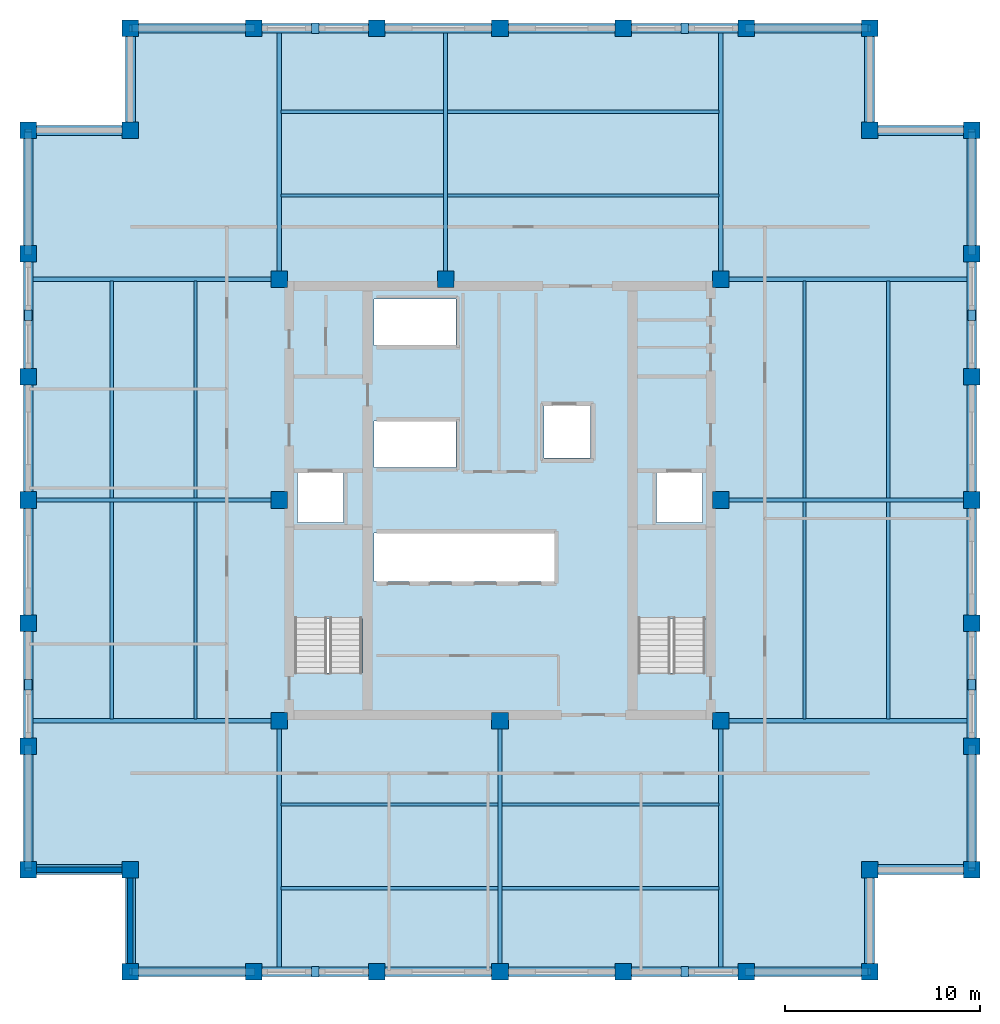
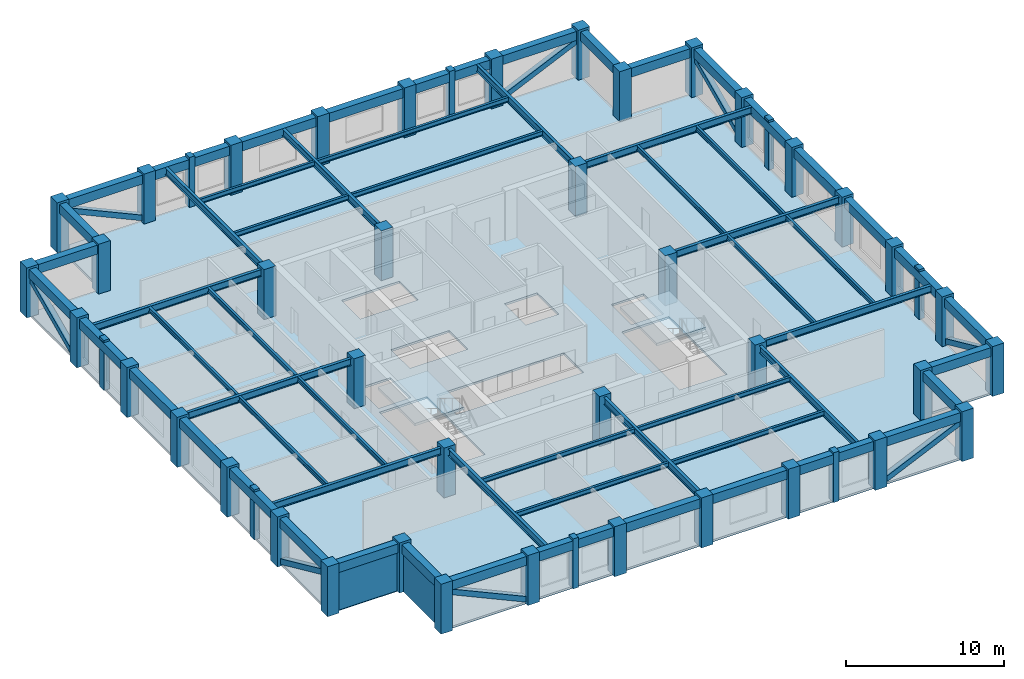
# One storey, part 1 of 6: 60 beams, 40 columns, 16 members, 3 slabs, 2 walls, 2 elements without a shape of their own.
"""IFC4 building model written with IfcOpenShell, lengths in metres."""

from ifc_helpers import new_model, si_unit, direction, frame, frame_2d, origin, origin_2d, place, context, subcontext, project, spatial, polyline, rectangle, hollow_rectangle, i_section, outline, extrude, material, layer, layer_set, material_profile, profile_set, type_object, element, aggregate, save


model = new_model("IFC4")

# Units and contexts
model_context = context("Model", 3, precision=1e-05, world=origin(), true_north=direction((0.0, 1.0)))
body_context = subcontext(model_context, "Body", "Model", "MODEL_VIEW")
ifc_project = project(units=[si_unit("LENGTHUNIT", "METRE"), si_unit("AREAUNIT", "SQUARE_METRE"), si_unit("VOLUMEUNIT", "CUBIC_METRE"), si_unit("PLANEANGLEUNIT", "RADIAN"), si_unit("MASSUNIT", "GRAM", prefix="KILO")], contexts=[model_context])

# Site, building, storey
site_placement = place(None, origin())
site = spatial("IfcSite", under=ifc_project, at=site_placement, CompositionType="ELEMENT")
building_placement = place(site_placement, origin())
building = spatial("IfcBuilding", under=site, at=building_placement, Name="Nhamokura Convention Tower", CompositionType="ELEMENT")
storey_placement = place(building_placement, frame((0.0, 0.0, 225.39990234375)))
storey = spatial("IfcBuildingStorey", under=building, at=storey_placement, Name="L55", CompositionType="ELEMENT", Elevation=225.39990234375)

# Columns
ifc_material_1 = material(Name="Concrete C50/60", Category="concrete")
ifc_material_profile_1 = material_profile(ifc_material_1, rectangle(XDim=0.85009765625, YDim=0.85009765625, at=origin_2d()))
ifc_profile_set_1 = profile_set([ifc_material_profile_1], Name="Concrete C50/60")
column_type = type_object("IfcColumnType", Name="TubeColumn_Z3_850", PredefinedType="COLUMN", material=ifc_profile_set_1)
for number, where, z_axis, x_axis, name in (
    (1, (20.64990234375, 20.64990234375, 0.0), (0.0, 0.0, 1.0), (1.0, 0.0, 0.0), "L55 Core Column CC-SW"),
    (2, (32.0, 20.64990234375, 0.0), (0.0, 0.0, 1.0), (1.0, 0.0, 0.0), "L55 Core Column CC-S"),
    (3, (43.35009765625, 20.64990234375, 0.0), (0.0, 0.0, 1.0), (1.0, 0.0, 0.0), "L55 Core Column CC-SE"),
    (4, (43.35009765625, 32.0, 0.0), (0.0, 0.0, 1.0), (1.0, 0.0, 0.0), "L55 Core Column CC-E"),
    (5, (43.35009765625, 43.35009765625, 0.0), (0.0, 0.0, 1.0), (1.0, 0.0, 0.0), "L55 Core Column CC-NE"),
    (6, (29.199951171875, 43.35009765625, 0.0), (0.0, 0.0, 1.0), (1.0, 0.0, 0.0), "L55 Core Column CC-N"),
    (7, (20.64990234375, 43.35009765625, 0.0), (0.0, 0.0, 1.0), (1.0, 0.0, 0.0), "L55 Core Column CC-NW"),
    (8, (20.64990234375, 32.0, 0.0), (0.0, 0.0, 1.0), (1.0, 0.0, 0.0), "L55 Core Column CC-W"),
    (9, (13.0, 7.75, 0.0), (0.0, 0.0, 1.0), (1.0, 0.0, 0.0), "L55 Perimeter Tube Column SW1"),
    (10, (13.0, 13.0, 0.0), (0.0, 0.0, 1.0), (1.0, 0.0, 0.0), "L55 Perimeter Tube Column SW0"),
    (11, (7.75, 13.0, 0.0), (0.0, 0.0, 1.0), (1.0, 0.0, 0.0), "L55 Perimeter Tube Column SW2"),
    (12, (51.0, 7.75, 0.0), (0.0, 0.0, 1.0), (1.0, 0.0, 0.0), "L55 Perimeter Tube Column SE1"),
    (13, (51.0, 13.0, 0.0), (0.0, 0.0, 1.0), (1.0, 0.0, 0.0), "L55 Perimeter Tube Column SE0"),
    (14, (56.25, 13.0, 0.0), (0.0, 0.0, 1.0), (1.0, 0.0, 0.0), "L55 Perimeter Tube Column SE2"),
    (15, (56.25, 51.0, 0.0), (0.0, 0.0, 1.0), (1.0, 0.0, 0.0), "L55 Perimeter Tube Column NE1"),
    (16, (51.0, 51.0, 0.0), (0.0, 0.0, 1.0), (1.0, 0.0, 0.0), "L55 Perimeter Tube Column NE0"),
    (17, (51.0, 56.25, 0.0), (0.0, 0.0, 1.0), (1.0, 0.0, 0.0), "L55 Perimeter Tube Column NE2"),
    (18, (13.0, 56.25, 0.0), (0.0, 0.0, 1.0), (1.0, 0.0, 0.0), "L55 Perimeter Tube Column NW1"),
    (19, (13.0, 51.0, 0.0), (0.0, 0.0, 1.0), (1.0, 0.0, 0.0), "L55 Perimeter Tube Column NW0"),
    (20, (7.75, 51.0, 0.0), (0.0, 0.0, 1.0), (1.0, 0.0, 0.0), "L55 Perimeter Tube Column NW2"),
    (21, (19.333251953125, 7.75, 0.0), (0.0, 0.0, 1.0), (1.0, 0.0, 0.0), "L55 Perimeter Tube Column S1"),
    (22, (19.333251953125, 56.25, 0.0), (0.0, 0.0, 1.0), (1.0, 0.0, 0.0), "L55 Perimeter Tube Column N1"),
    (23, (7.75, 19.333251953125, 0.0), (0.0, 0.0, 1.0), (1.0, 0.0, 0.0), "L55 Perimeter Tube Column W1"),
    (24, (56.25, 19.333251953125, 0.0), (0.0, 0.0, 1.0), (1.0, 0.0, 0.0), "L55 Perimeter Tube Column E1"),
    (25, (25.666748046875, 7.75, 0.0), (0.0, 0.0, 1.0), (1.0, 0.0, 0.0), "L55 Perimeter Tube Column S2"),
    (26, (25.666748046875, 56.25, 0.0), (0.0, 0.0, 1.0), (1.0, 0.0, 0.0), "L55 Perimeter Tube Column N2"),
    (27, (7.75, 25.666748046875, 0.0), (0.0, 0.0, 1.0), (1.0, 0.0, 0.0), "L55 Perimeter Tube Column W2"),
    (28, (56.25, 25.666748046875, 0.0), (0.0, 0.0, 1.0), (1.0, 0.0, 0.0), "L55 Perimeter Tube Column E2"),
    (29, (32.0, 7.75, 0.0), (0.0, 0.0, 1.0), (1.0, 0.0, 0.0), "L55 Perimeter Tube Column S3"),
    (30, (32.0, 56.25, 0.0), (0.0, 0.0, 1.0), (1.0, 0.0, 0.0), "L55 Perimeter Tube Column N3"),
    (31, (7.75, 32.0, 0.0), (0.0, 0.0, 1.0), (1.0, 0.0, 0.0), "L55 Perimeter Tube Column W3"),
    (32, (56.25, 32.0, 0.0), (0.0, 0.0, 1.0), (1.0, 0.0, 0.0), "L55 Perimeter Tube Column E3"),
    (33, (38.333251953125, 7.75, 0.0), (0.0, 0.0, 1.0), (1.0, 0.0, 0.0), "L55 Perimeter Tube Column S4"),
    (34, (38.333251953125, 56.25, 0.0), (0.0, 0.0, 1.0), (1.0, 0.0, 0.0), "L55 Perimeter Tube Column N4"),
    (35, (7.75, 38.333251953125, 0.0), (0.0, 0.0, 1.0), (1.0, 0.0, 0.0), "L55 Perimeter Tube Column W4"),
    (36, (56.25, 38.333251953125, 0.0), (0.0, 0.0, 1.0), (1.0, 0.0, 0.0), "L55 Perimeter Tube Column E4"),
    (37, (44.666748046875, 7.75, 0.0), (0.0, 0.0, 1.0), (1.0, 0.0, 0.0), "L55 Perimeter Tube Column S5"),
    (38, (44.666748046875, 56.25, 0.0), (0.0, 0.0, 1.0), (1.0, 0.0, 0.0), "L55 Perimeter Tube Column N5"),
    (39, (7.75, 44.666748046875, 0.0), (0.0, 0.0, 1.0), (1.0, 0.0, 0.0), "L55 Perimeter Tube Column W5"),
    (40, (56.25, 44.666748046875, 0.0), (0.0, 0.0, 1.0), (1.0, 0.0, 0.0), "L55 Perimeter Tube Column E5"),
):
    element("IfcColumn", number, at=place(storey_placement, frame(where, z_axis=z_axis, x_axis=x_axis)), inside=storey, type_object=column_type, Name=name, PredefinedType="COLUMN", context=body_context, shape_type="SweptSolid", body=[
        extrude(rectangle(XDim=0.85009765625, YDim=0.85009765625, at=origin_2d()), origin(), (0.0, 0.0, 1.0), 3.85009765625),
    ])

# Members
ifc_material_2 = material(Name="Bronze-pigmented precast concrete C45/55", Category="concrete")
ifc_material_profile_2 = material_profile(ifc_material_2, rectangle(XDim=0.39990234375, YDim=0.550048828125, at=origin_2d()))
ifc_profile_set_2 = profile_set([ifc_material_profile_2], Name="Bronze-pigmented precast concrete C45/55")
member_type_1 = type_object("IfcMemberType", Name="BronzePilaster_550", PredefinedType="USERDEFINED", material=ifc_profile_set_2)
for number, where, z_axis, x_axis, name in (
    (41, (22.5, 7.75, 0.0), (0.0, 0.0, 1.0), (1.0, 0.0, 0.0), "L55 Engaged Frame Pilaster SOUTH 1"),
    (42, (41.5, 7.75, 0.0), (0.0, 0.0, 1.0), (1.0, 0.0, 0.0), "L55 Engaged Frame Pilaster SOUTH 4"),
    (43, (22.5, 56.25, 0.0), (0.0, 0.0, 1.0), (1.0, 0.0, 0.0), "L55 Engaged Frame Pilaster NORTH 1"),
    (44, (41.5, 56.25, 0.0), (0.0, 0.0, 1.0), (1.0, 0.0, 0.0), "L55 Engaged Frame Pilaster NORTH 4"),
    (45, (7.75, 22.5, 0.0), (0.0, 0.0, 1.0), (1.0, 0.0, 0.0), "L55 Engaged Frame Pilaster WEST 1"),
    (46, (7.75, 41.5, 0.0), (0.0, 0.0, 1.0), (1.0, 0.0, 0.0), "L55 Engaged Frame Pilaster WEST 4"),
    (47, (56.25, 22.5, 0.0), (0.0, 0.0, 1.0), (1.0, 0.0, 0.0), "L55 Engaged Frame Pilaster EAST 1"),
    (48, (56.25, 41.5, 0.0), (0.0, 0.0, 1.0), (1.0, 0.0, 0.0), "L55 Engaged Frame Pilaster EAST 4"),
):
    element("IfcMember", number, at=place(storey_placement, frame(where, z_axis=z_axis, x_axis=x_axis)), inside=storey, type_object=member_type_1, Name=name, ObjectType="PILASTER_TRIM", PredefinedType="USERDEFINED", context=body_context, shape_type="SweptSolid", body=[
        extrude(rectangle(XDim=0.39990234375, YDim=0.550048828125, at=origin_2d()), origin(), (0.0, 0.0, 1.0), 3.85009765625),
    ])

# Beams
ifc_material_3 = material(Name="Steel ASTM A992 Gr 50", Category="steel")
ifc_material_profile_3 = material_profile(ifc_material_3, i_section(OverallWidth=0.172119140625, OverallDepth=0.35791015625, WebThickness=0.0078125, FlangeThickness=0.01318359375, at=origin_2d()))
ifc_profile_set_3 = profile_set([ifc_material_profile_3], Name="Steel ASTM A992 Gr 50")
beam_type_1 = type_object("IfcBeamType", Name="FloorJoist_W360X57", PredefinedType="JOIST", material=ifc_profile_set_3)
for number, where, z_axis, x_axis, name in (
    (49, (20.75341796875, 12.050048828125, 3.506103515625), (1.0, 0.0, 0.0), (0.0, 1.0, 0.0), "L55 Composite Floor Joist S1A"),
    (50, (32.103515625, 12.050048828125, 3.506103515625), (1.0, 0.0, 0.0), (0.0, 1.0, 0.0), "L55 Composite Floor Joist S1B"),
    (51, (20.75341796875, 16.35009765625, 3.506103515625), (1.0, 0.0, 0.0), (0.0, 1.0, 0.0), "L55 Composite Floor Joist S2A"),
    (52, (32.103515625, 16.35009765625, 3.506103515625), (1.0, 0.0, 0.0), (0.0, 1.0, 0.0), "L55 Composite Floor Joist S2B"),
):
    element("IfcBeam", number, at=place(storey_placement, frame(where, z_axis=z_axis, x_axis=x_axis)), inside=storey, type_object=beam_type_1, Name=name, PredefinedType="JOIST", context=body_context, shape_type="SweptSolid", body=[
        extrude(i_section(OverallWidth=0.172119140625, OverallDepth=0.35791015625, WebThickness=0.0078125, FlangeThickness=0.01318359375, at=origin_2d()), origin(), (0.0, 0.0, 1.0), 11.14306640625),
    ])
beam_1_placement = place(storey_placement, frame((20.75341796875, 47.64990234375, 3.506103515625), z_axis=(1.0, 0.0, 0.0), x_axis=(0.0, 1.0, 0.0)))
element("IfcBeam", 53, at=beam_1_placement, inside=storey, type_object=beam_type_1, Name="L55 Composite Floor Joist N1A", PredefinedType="JOIST", context=body_context, shape_type="SweptSolid", body=[
    extrude(i_section(OverallWidth=0.172119140625, OverallDepth=0.35791015625, WebThickness=0.0078125, FlangeThickness=0.01318359375, at=origin_2d()), origin(), (0.0, 0.0, 1.0), 8.343017578125),
])
beam_2_placement = place(storey_placement, frame((29.303466796875, 47.64990234375, 3.506103515625), z_axis=(1.0, 0.0, 0.0), x_axis=(0.0, 1.0, 0.0)))
element("IfcBeam", 54, at=beam_2_placement, inside=storey, type_object=beam_type_1, Name="L55 Composite Floor Joist N1B", PredefinedType="JOIST", context=body_context, shape_type="SweptSolid", body=[
    extrude(i_section(OverallWidth=0.172119140625, OverallDepth=0.35791015625, WebThickness=0.0078125, FlangeThickness=0.01318359375, at=origin_2d()), origin(), (0.0, 0.0, 1.0), 13.943115234375),
])
beam_3_placement = place(storey_placement, frame((20.75341796875, 51.949951171875, 3.506103515625), z_axis=(1.0, 0.0, 0.0), x_axis=(0.0, 1.0, 0.0)))
element("IfcBeam", 55, at=beam_3_placement, inside=storey, type_object=beam_type_1, Name="L55 Composite Floor Joist N2A", PredefinedType="JOIST", context=body_context, shape_type="SweptSolid", body=[
    extrude(i_section(OverallWidth=0.172119140625, OverallDepth=0.35791015625, WebThickness=0.0078125, FlangeThickness=0.01318359375, at=origin_2d()), origin(), (0.0, 0.0, 1.0), 8.343017578125),
])
beam_4_placement = place(storey_placement, frame((29.303466796875, 51.949951171875, 3.506103515625), z_axis=(1.0, 0.0, 0.0), x_axis=(0.0, 1.0, 0.0)))
element("IfcBeam", 56, at=beam_4_placement, inside=storey, type_object=beam_type_1, Name="L55 Composite Floor Joist N2B", PredefinedType="JOIST", context=body_context, shape_type="SweptSolid", body=[
    extrude(i_section(OverallWidth=0.172119140625, OverallDepth=0.35791015625, WebThickness=0.0078125, FlangeThickness=0.01318359375, at=origin_2d()), origin(), (0.0, 0.0, 1.0), 13.943115234375),
])
for number, where, z_axis, x_axis, name in (
    (57, (12.050048828125, 20.75341796875, 3.506103515625), (0.0, 1.0, 0.0), (-1.0, 0.0, 0.0), "L55 Composite Floor Joist W1A"),
    (58, (12.050048828125, 32.103515625, 3.506103515625), (0.0, 1.0, 0.0), (-1.0, 0.0, 0.0), "L55 Composite Floor Joist W1B"),
    (59, (16.35009765625, 20.75341796875, 3.506103515625), (0.0, 1.0, 0.0), (-1.0, 0.0, 0.0), "L55 Composite Floor Joist W2A"),
    (60, (16.35009765625, 32.103515625, 3.506103515625), (0.0, 1.0, 0.0), (-1.0, 0.0, 0.0), "L55 Composite Floor Joist W2B"),
    (61, (47.64990234375, 20.75341796875, 3.506103515625), (0.0, 1.0, 0.0), (-1.0, 0.0, 0.0), "L55 Composite Floor Joist E1A"),
    (62, (47.64990234375, 32.103515625, 3.506103515625), (0.0, 1.0, 0.0), (-1.0, 0.0, 0.0), "L55 Composite Floor Joist E1B"),
    (63, (51.949951171875, 20.75341796875, 3.506103515625), (0.0, 1.0, 0.0), (-1.0, 0.0, 0.0), "L55 Composite Floor Joist E2A"),
    (64, (51.949951171875, 32.103515625, 3.506103515625), (0.0, 1.0, 0.0), (-1.0, 0.0, 0.0), "L55 Composite Floor Joist E2B"),
):
    element("IfcBeam", number, at=place(storey_placement, frame(where, z_axis=z_axis, x_axis=x_axis)), inside=storey, type_object=beam_type_1, Name=name, PredefinedType="JOIST", context=body_context, shape_type="SweptSolid", body=[
        extrude(i_section(OverallWidth=0.172119140625, OverallDepth=0.35791015625, WebThickness=0.0078125, FlangeThickness=0.01318359375, at=origin_2d()), origin(), (0.0, 0.0, 1.0), 11.14306640625),
    ])
ifc_material_4 = material(Name="Steel ASTM A992 Gr 50", Category="steel")
ifc_material_profile_4 = material_profile(ifc_material_4, i_section(OverallWidth=0.2109375, OverallDepth=0.5390625, WebThickness=0.01171875, FlangeThickness=0.018798828125, at=origin_2d()))
ifc_profile_set_4 = profile_set([ifc_material_profile_4], Name="Steel ASTM A992 Gr 50")
beam_type_2 = type_object("IfcBeamType", Name="PrimaryGirder_W530X109", PredefinedType="BEAM", material=ifc_profile_set_4)
for number, where, z_axis, x_axis, name in (
    (65, (20.64990234375, 7.75, 3.41552734375), (0.0, 1.0, 0.0), (-1.0, 0.0, 0.0), "L55 Primary Floor Girder PG-S1"),
    (66, (32.0, 7.75, 3.41552734375), (0.0, 1.0, 0.0), (-1.0, 0.0, 0.0), "L55 Primary Floor Girder PG-S2"),
    (67, (43.35009765625, 7.75, 3.41552734375), (0.0, 1.0, 0.0), (-1.0, 0.0, 0.0), "L55 Primary Floor Girder PG-S3"),
    (68, (20.64990234375, 43.35009765625, 3.41552734375), (0.0, 1.0, 0.0), (-1.0, 0.0, 0.0), "L55 Primary Floor Girder PG-N1"),
    (69, (29.199951171875, 43.35009765625, 3.41552734375), (0.0, 1.0, 0.0), (-1.0, 0.0, 0.0), "L55 Primary Floor Girder PG-N2"),
    (70, (43.35009765625, 43.35009765625, 3.41552734375), (0.0, 1.0, 0.0), (-1.0, 0.0, 0.0), "L55 Primary Floor Girder PG-N3"),
    (71, (7.75, 20.64990234375, 3.41552734375), (1.0, 0.0, 0.0), (0.0, 1.0, 0.0), "L55 Primary Floor Girder PG-W1"),
    (72, (7.75, 32.0, 3.41552734375), (1.0, 0.0, 0.0), (0.0, 1.0, 0.0), "L55 Primary Floor Girder PG-W2"),
    (73, (7.75, 43.35009765625, 3.41552734375), (1.0, 0.0, 0.0), (0.0, 1.0, 0.0), "L55 Primary Floor Girder PG-W3"),
    (74, (43.35009765625, 20.64990234375, 3.41552734375), (1.0, 0.0, 0.0), (0.0, 1.0, 0.0), "L55 Primary Floor Girder PG-E1"),
    (75, (43.35009765625, 32.0, 3.41552734375), (1.0, 0.0, 0.0), (0.0, 1.0, 0.0), "L55 Primary Floor Girder PG-E2"),
    (76, (43.35009765625, 43.35009765625, 3.41552734375), (1.0, 0.0, 0.0), (0.0, 1.0, 0.0), "L55 Primary Floor Girder PG-E3"),
):
    element("IfcBeam", number, at=place(storey_placement, frame(where, z_axis=z_axis, x_axis=x_axis)), inside=storey, type_object=beam_type_2, Name=name, PredefinedType="BEAM", context=body_context, shape_type="SweptSolid", body=[
        extrude(i_section(OverallWidth=0.2109375, OverallDepth=0.5390625, WebThickness=0.01171875, FlangeThickness=0.018798828125, at=origin_2d()), origin(), (0.0, 0.0, 1.0), 12.89990234375),
    ])

# Members
ifc_material_5 = material(Name="Steel ASTM A572 Gr 50", Category="steel")
ifc_material_profile_5 = material_profile(ifc_material_5, hollow_rectangle(XDim=0.39990234375, YDim=0.39990234375, WallThickness=0.02001953125, at=origin_2d()))
ifc_profile_set_5 = profile_set([ifc_material_profile_5], Name="Steel ASTM A572 Gr 50")
member_type_2 = type_object("IfcMemberType", Name="TubeBrace_HSS400", PredefinedType="BRACE", material=ifc_profile_set_5)
for number, where, z_axis, x_axis, name in (
    (77, (19.333251953125, 7.75, 0.150146484375), (-0.910027379678, 0.0, 0.41454814948), (0.0, -1.0, 0.0), "L55 Perimeter Tube Brace SOUTH Bay 0"),
    (78, (44.666748046875, 7.75, 0.150146484375), (0.910027379678, 0.0, 0.41454814948), (0.0, 1.0, 0.0), "L55 Perimeter Tube Brace SOUTH Bay 5"),
    (79, (19.333251953125, 56.25, 0.150146484375), (-0.910027379678, 0.0, 0.41454814948), (0.0, -1.0, 0.0), "L55 Perimeter Tube Brace NORTH Bay 0"),
    (80, (44.666748046875, 56.25, 0.150146484375), (0.910027379678, 0.0, 0.41454814948), (0.0, 1.0, 0.0), "L55 Perimeter Tube Brace NORTH Bay 5"),
    (81, (7.75, 19.333251953125, 0.150146484375), (0.0, -0.910027379678, 0.41454814948), (1.0, 0.0, 0.0), "L55 Perimeter Tube Brace WEST Bay 0"),
    (82, (7.75, 44.666748046875, 0.150146484375), (0.0, 0.910027379678, 0.41454814948), (-1.0, 0.0, 0.0), "L55 Perimeter Tube Brace WEST Bay 5"),
    (83, (56.25, 19.333251953125, 0.150146484375), (0.0, -0.910027379678, 0.41454814948), (1.0, 0.0, 0.0), "L55 Perimeter Tube Brace EAST Bay 0"),
    (84, (56.25, 44.666748046875, 0.150146484375), (0.0, 0.910027379678, 0.41454814948), (-1.0, 0.0, 0.0), "L55 Perimeter Tube Brace EAST Bay 5"),
):
    element("IfcMember", number, at=place(storey_placement, frame(where, z_axis=z_axis, x_axis=x_axis)), inside=storey, type_object=member_type_2, Name=name, PredefinedType="BRACE", context=body_context, shape_type="SweptSolid", body=[
        extrude(hollow_rectangle(XDim=0.39990234375, YDim=0.39990234375, WallThickness=0.02001953125, at=origin_2d()), origin(), (0.0, 0.0, 1.0), 6.95947265625),
    ])

# Beams
ifc_material_6 = material(Name="Concrete C50/60", Category="concrete")
ifc_material_profile_6 = material_profile(ifc_material_6, rectangle(XDim=0.5, YDim=0.699951171875, at=origin_2d()))
ifc_profile_set_6 = profile_set([ifc_material_profile_6], Name="Concrete C50/60")
beam_type_3 = type_object("IfcBeamType", Name="TubeSpandrel_700", PredefinedType="SPANDREL", material=ifc_profile_set_6)
beam_5_placement = place(storey_placement, frame((13.0, 7.75, 3.335205078125), z_axis=(1.0, 0.0, 0.0), x_axis=(0.0, 1.0, 0.0)))
element("IfcBeam", 85, at=beam_5_placement, inside=storey, type_object=beam_type_3, Name="L55 Perimeter Spandrel SOUTH 1", PredefinedType="SPANDREL", context=body_context, shape_type="SweptSolid", body=[
    extrude(rectangle(XDim=0.5, YDim=0.699951171875, at=origin_2d()), origin(), (0.0, 0.0, 1.0), 6.333251953125),
])
beam_6_placement = place(storey_placement, frame((19.333251953125, 7.75, 3.335205078125), z_axis=(1.0, 0.0, 0.0), x_axis=(0.0, 1.0, 0.0)))
element("IfcBeam", 86, at=beam_6_placement, inside=storey, type_object=beam_type_3, Name="L55 Perimeter Spandrel SOUTH 2", PredefinedType="SPANDREL", context=body_context, shape_type="SweptSolid", body=[
    extrude(rectangle(XDim=0.5, YDim=0.699951171875, at=origin_2d()), origin(), (0.0, 0.0, 1.0), 6.33349609375),
])
for number, where, z_axis, x_axis, name in (
    (87, (25.666748046875, 7.75, 3.335205078125), (1.0, 0.0, 0.0), (0.0, 1.0, 0.0), "L55 Perimeter Spandrel SOUTH 3"),
    (88, (32.0, 7.75, 3.335205078125), (1.0, 0.0, 0.0), (0.0, 1.0, 0.0), "L55 Perimeter Spandrel SOUTH 4"),
):
    element("IfcBeam", number, at=place(storey_placement, frame(where, z_axis=z_axis, x_axis=x_axis)), inside=storey, type_object=beam_type_3, Name=name, PredefinedType="SPANDREL", context=body_context, shape_type="SweptSolid", body=[
        extrude(rectangle(XDim=0.5, YDim=0.699951171875, at=origin_2d()), origin(), (0.0, 0.0, 1.0), 6.333251953125),
    ])
beam_7_placement = place(storey_placement, frame((38.333251953125, 7.75, 3.335205078125), z_axis=(1.0, 0.0, 0.0), x_axis=(0.0, 1.0, 0.0)))
element("IfcBeam", 89, at=beam_7_placement, inside=storey, type_object=beam_type_3, Name="L55 Perimeter Spandrel SOUTH 5", PredefinedType="SPANDREL", context=body_context, shape_type="SweptSolid", body=[
    extrude(rectangle(XDim=0.5, YDim=0.699951171875, at=origin_2d()), origin(), (0.0, 0.0, 1.0), 6.33349609375),
])
for number, where, z_axis, x_axis, name in (
    (90, (44.666748046875, 7.75, 3.335205078125), (1.0, 0.0, 0.0), (0.0, 1.0, 0.0), "L55 Perimeter Spandrel SOUTH 6"),
    (91, (13.0, 56.25, 3.335205078125), (1.0, 0.0, 0.0), (0.0, 1.0, 0.0), "L55 Perimeter Spandrel NORTH 1"),
):
    element("IfcBeam", number, at=place(storey_placement, frame(where, z_axis=z_axis, x_axis=x_axis)), inside=storey, type_object=beam_type_3, Name=name, PredefinedType="SPANDREL", context=body_context, shape_type="SweptSolid", body=[
        extrude(rectangle(XDim=0.5, YDim=0.699951171875, at=origin_2d()), origin(), (0.0, 0.0, 1.0), 6.333251953125),
    ])
beam_8_placement = place(storey_placement, frame((19.333251953125, 56.25, 3.335205078125), z_axis=(1.0, 0.0, 0.0), x_axis=(0.0, 1.0, 0.0)))
element("IfcBeam", 92, at=beam_8_placement, inside=storey, type_object=beam_type_3, Name="L55 Perimeter Spandrel NORTH 2", PredefinedType="SPANDREL", context=body_context, shape_type="SweptSolid", body=[
    extrude(rectangle(XDim=0.5, YDim=0.699951171875, at=origin_2d()), origin(), (0.0, 0.0, 1.0), 6.33349609375),
])
for number, where, z_axis, x_axis, name in (
    (93, (25.666748046875, 56.25, 3.335205078125), (1.0, 0.0, 0.0), (0.0, 1.0, 0.0), "L55 Perimeter Spandrel NORTH 3"),
    (94, (32.0, 56.25, 3.335205078125), (1.0, 0.0, 0.0), (0.0, 1.0, 0.0), "L55 Perimeter Spandrel NORTH 4"),
):
    element("IfcBeam", number, at=place(storey_placement, frame(where, z_axis=z_axis, x_axis=x_axis)), inside=storey, type_object=beam_type_3, Name=name, PredefinedType="SPANDREL", context=body_context, shape_type="SweptSolid", body=[
        extrude(rectangle(XDim=0.5, YDim=0.699951171875, at=origin_2d()), origin(), (0.0, 0.0, 1.0), 6.333251953125),
    ])
beam_9_placement = place(storey_placement, frame((38.333251953125, 56.25, 3.335205078125), z_axis=(1.0, 0.0, 0.0), x_axis=(0.0, 1.0, 0.0)))
element("IfcBeam", 95, at=beam_9_placement, inside=storey, type_object=beam_type_3, Name="L55 Perimeter Spandrel NORTH 5", PredefinedType="SPANDREL", context=body_context, shape_type="SweptSolid", body=[
    extrude(rectangle(XDim=0.5, YDim=0.699951171875, at=origin_2d()), origin(), (0.0, 0.0, 1.0), 6.33349609375),
])
for number, where, z_axis, x_axis, name in (
    (96, (44.666748046875, 56.25, 3.335205078125), (1.0, 0.0, 0.0), (0.0, 1.0, 0.0), "L55 Perimeter Spandrel NORTH 6"),
    (97, (7.75, 13.0, 3.335205078125), (0.0, 1.0, 0.0), (-1.0, 0.0, 0.0), "L55 Perimeter Spandrel WEST 1"),
):
    element("IfcBeam", number, at=place(storey_placement, frame(where, z_axis=z_axis, x_axis=x_axis)), inside=storey, type_object=beam_type_3, Name=name, PredefinedType="SPANDREL", context=body_context, shape_type="SweptSolid", body=[
        extrude(rectangle(XDim=0.5, YDim=0.699951171875, at=origin_2d()), origin(), (0.0, 0.0, 1.0), 6.333251953125),
    ])
beam_10_placement = place(storey_placement, frame((7.75, 19.333251953125, 3.335205078125), z_axis=(0.0, 1.0, 0.0), x_axis=(-1.0, 0.0, 0.0)))
element("IfcBeam", 98, at=beam_10_placement, inside=storey, type_object=beam_type_3, Name="L55 Perimeter Spandrel WEST 2", PredefinedType="SPANDREL", context=body_context, shape_type="SweptSolid", body=[
    extrude(rectangle(XDim=0.5, YDim=0.699951171875, at=origin_2d()), origin(), (0.0, 0.0, 1.0), 6.33349609375),
])
for number, where, z_axis, x_axis, name in (
    (99, (7.75, 25.666748046875, 3.335205078125), (0.0, 1.0, 0.0), (-1.0, 0.0, 0.0), "L55 Perimeter Spandrel WEST 3"),
    (100, (7.75, 32.0, 3.335205078125), (0.0, 1.0, 0.0), (-1.0, 0.0, 0.0), "L55 Perimeter Spandrel WEST 4"),
):
    element("IfcBeam", number, at=place(storey_placement, frame(where, z_axis=z_axis, x_axis=x_axis)), inside=storey, type_object=beam_type_3, Name=name, PredefinedType="SPANDREL", context=body_context, shape_type="SweptSolid", body=[
        extrude(rectangle(XDim=0.5, YDim=0.699951171875, at=origin_2d()), origin(), (0.0, 0.0, 1.0), 6.333251953125),
    ])
beam_11_placement = place(storey_placement, frame((7.75, 38.333251953125, 3.335205078125), z_axis=(0.0, 1.0, 0.0), x_axis=(-1.0, 0.0, 0.0)))
element("IfcBeam", 101, at=beam_11_placement, inside=storey, type_object=beam_type_3, Name="L55 Perimeter Spandrel WEST 5", PredefinedType="SPANDREL", context=body_context, shape_type="SweptSolid", body=[
    extrude(rectangle(XDim=0.5, YDim=0.699951171875, at=origin_2d()), origin(), (0.0, 0.0, 1.0), 6.33349609375),
])
for number, where, z_axis, x_axis, name in (
    (102, (7.75, 44.666748046875, 3.335205078125), (0.0, 1.0, 0.0), (-1.0, 0.0, 0.0), "L55 Perimeter Spandrel WEST 6"),
    (103, (56.25, 13.0, 3.335205078125), (0.0, 1.0, 0.0), (-1.0, 0.0, 0.0), "L55 Perimeter Spandrel EAST 1"),
):
    element("IfcBeam", number, at=place(storey_placement, frame(where, z_axis=z_axis, x_axis=x_axis)), inside=storey, type_object=beam_type_3, Name=name, PredefinedType="SPANDREL", context=body_context, shape_type="SweptSolid", body=[
        extrude(rectangle(XDim=0.5, YDim=0.699951171875, at=origin_2d()), origin(), (0.0, 0.0, 1.0), 6.333251953125),
    ])
beam_12_placement = place(storey_placement, frame((56.25, 19.333251953125, 3.335205078125), z_axis=(0.0, 1.0, 0.0), x_axis=(-1.0, 0.0, 0.0)))
element("IfcBeam", 104, at=beam_12_placement, inside=storey, type_object=beam_type_3, Name="L55 Perimeter Spandrel EAST 2", PredefinedType="SPANDREL", context=body_context, shape_type="SweptSolid", body=[
    extrude(rectangle(XDim=0.5, YDim=0.699951171875, at=origin_2d()), origin(), (0.0, 0.0, 1.0), 6.33349609375),
])
for number, where, z_axis, x_axis, name in (
    (105, (56.25, 25.666748046875, 3.335205078125), (0.0, 1.0, 0.0), (-1.0, 0.0, 0.0), "L55 Perimeter Spandrel EAST 3"),
    (106, (56.25, 32.0, 3.335205078125), (0.0, 1.0, 0.0), (-1.0, 0.0, 0.0), "L55 Perimeter Spandrel EAST 4"),
):
    element("IfcBeam", number, at=place(storey_placement, frame(where, z_axis=z_axis, x_axis=x_axis)), inside=storey, type_object=beam_type_3, Name=name, PredefinedType="SPANDREL", context=body_context, shape_type="SweptSolid", body=[
        extrude(rectangle(XDim=0.5, YDim=0.699951171875, at=origin_2d()), origin(), (0.0, 0.0, 1.0), 6.333251953125),
    ])
beam_13_placement = place(storey_placement, frame((56.25, 38.333251953125, 3.335205078125), z_axis=(0.0, 1.0, 0.0), x_axis=(-1.0, 0.0, 0.0)))
element("IfcBeam", 107, at=beam_13_placement, inside=storey, type_object=beam_type_3, Name="L55 Perimeter Spandrel EAST 5", PredefinedType="SPANDREL", context=body_context, shape_type="SweptSolid", body=[
    extrude(rectangle(XDim=0.5, YDim=0.699951171875, at=origin_2d()), origin(), (0.0, 0.0, 1.0), 6.33349609375),
])
beam_14_placement = place(storey_placement, frame((56.25, 44.666748046875, 3.335205078125), z_axis=(0.0, 1.0, 0.0), x_axis=(-1.0, 0.0, 0.0)))
element("IfcBeam", 108, at=beam_14_placement, inside=storey, type_object=beam_type_3, Name="L55 Perimeter Spandrel EAST 6", PredefinedType="SPANDREL", context=body_context, shape_type="SweptSolid", body=[
    extrude(rectangle(XDim=0.5, YDim=0.699951171875, at=origin_2d()), origin(), (0.0, 0.0, 1.0), 6.333251953125),
])
for number, where, z_axis, x_axis, name in (
    (109, (13.0, 7.75, 3.335205078125), (0.0, 1.0, 0.0), (-1.0, 0.0, 0.0), "L55 Notch Spandrel SW1"),
    (110, (13.0, 13.0, 3.335205078125), (-1.0, 0.0, 0.0), (0.0, -1.0, 0.0), "L55 Notch Spandrel SW2"),
    (111, (51.0, 7.75, 3.335205078125), (0.0, 1.0, 0.0), (-1.0, 0.0, 0.0), "L55 Notch Spandrel SE1"),
    (112, (51.0, 13.0, 3.335205078125), (1.0, 0.0, 0.0), (0.0, 1.0, 0.0), "L55 Notch Spandrel SE2"),
    (113, (56.25, 51.0, 3.335205078125), (-1.0, 0.0, 0.0), (0.0, -1.0, 0.0), "L55 Notch Spandrel NE1"),
    (114, (51.0, 51.0, 3.335205078125), (0.0, 1.0, 0.0), (-1.0, 0.0, 0.0), "L55 Notch Spandrel NE2"),
    (115, (13.0, 56.25, 3.335205078125), (0.0, -1.0, 0.0), (1.0, 0.0, 0.0), "L55 Notch Spandrel NW1"),
    (116, (13.0, 51.0, 3.335205078125), (-1.0, 0.0, 0.0), (0.0, -1.0, 0.0), "L55 Notch Spandrel NW2"),
):
    element("IfcBeam", number, at=place(storey_placement, frame(where, z_axis=z_axis, x_axis=x_axis)), inside=storey, type_object=beam_type_3, Name=name, PredefinedType="SPANDREL", context=body_context, shape_type="SweptSolid", body=[
        extrude(rectangle(XDim=0.5, YDim=0.699951171875, at=origin_2d()), origin(), (0.0, 0.0, 1.0), 5.25),
    ])

# Slab
ifc_material_7 = material(Name="Concrete C40/50", Category="concrete")
ifc_layer_1 = layer(ifc_material_7, 0.1650390625)
ifc_layer_set_1 = layer_set([ifc_layer_1], Name="OfficeFloorSlab_165")
slab_type_1 = type_object("IfcSlabType", Name="OfficeFloorSlab_165", PredefinedType="FLOOR", material=ifc_layer_set_1)
slab_1_placement = place(storey_placement, frame((0.0, 0.0, -0.164794921875)))
element("IfcSlab", 117, at=slab_1_placement, inside=storey, type_object=slab_type_1, Name="L55 Structural Floor Slab", PredefinedType="FLOOR", context=body_context, shape_type="SweptSolid", body=[
    extrude(outline(polyline([(13.0, 7.75), (51.0, 7.75), (51.0, 13.0), (56.25, 13.0), (56.25, 51.0), (51.0, 51.0), (51.0, 56.25), (13.0, 56.25), (13.0, 51.0), (7.75, 51.0), (7.75, 13.0), (13.0, 13.0), (13.0, 7.75)]), holes=[polyline([(24.89990234375, 23.10009765625), (24.89990234375, 30.449951171875), (21.449951171875, 30.449951171875), (21.449951171875, 23.10009765625), (24.89990234375, 23.10009765625)]), polyline([(42.550048828125, 23.10009765625), (42.550048828125, 30.449951171875), (39.10009765625, 30.449951171875), (39.10009765625, 23.10009765625), (42.550048828125, 23.10009765625)]), polyline([(21.60009765625, 30.85009765625), (23.949951171875, 30.85009765625), (23.949951171875, 33.39990234375), (21.60009765625, 33.39990234375), (21.60009765625, 30.85009765625)]), polyline([(40.050048828125, 30.85009765625), (42.39990234375, 30.85009765625), (42.39990234375, 33.39990234375), (40.050048828125, 33.39990234375), (40.050048828125, 30.85009765625)]), polyline([(34.25, 34.14990234375), (36.64990234375, 34.14990234375), (36.64990234375, 36.85009765625), (34.25, 36.85009765625), (34.25, 34.14990234375)]), polyline([(25.52001953125, 27.800048828125), (34.800048828125, 27.800048828125), (34.800048828125, 30.300048828125), (25.52001953125, 30.300048828125), (25.52001953125, 27.800048828125)]), polyline([(25.52001953125, 33.679931640625), (29.75, 33.679931640625), (29.75, 36.050048828125), (25.52001953125, 36.050048828125), (25.52001953125, 33.679931640625)]), polyline([(25.52001953125, 39.949951171875), (29.75, 39.949951171875), (29.75, 42.320068359375), (25.52001953125, 42.320068359375), (25.52001953125, 39.949951171875)])]), origin(), (0.0, 0.0, 1.0), 0.164794921875),
])

# Stair, slab
ifc_material_8 = material(Name="Concrete C40/50", Category="concrete")
stair_type = type_object("IfcStairType", Name="TowerCoreStair_1650", PredefinedType="HALF_TURN_STAIR", material=ifc_material_8)
stair_1_placement = place(storey_placement, origin())
stair_1 = element("IfcStair", 118, at=stair_1_placement, inside=storey, type_object=stair_type, Name="L55 West Core Smokeproof Stair ST-01", PredefinedType="HALF_TURN_STAIR")
ifc_material_9 = material(Name="Concrete C40/50", Category="concrete")
ifc_layer_2 = layer(ifc_material_9, 0.199951171875)
ifc_layer_set_2 = layer_set([ifc_layer_2], Name="StairLandingSlab_200")
slab_type_2 = type_object("IfcSlabType", Name="StairLandingSlab_200", PredefinedType="LANDING", material=ifc_layer_set_2)
slab_2_placement = place(storey_placement, frame((0.0, 0.0, 1.72509765625)))
slab_2 = element("IfcSlab", 119, at=slab_2_placement, type_object=slab_type_2, Name="ST-01 landing 1", PredefinedType="LANDING", context=body_context, shape_type="SweptSolid", body=[
    extrude(outline(polyline([(24.97998046875, 25.8701171875), (24.97998046875, 30.530029296875), (21.3701171875, 30.530029296875), (21.3701171875, 25.8701171875), (24.97998046875, 25.8701171875)])), origin(), (0.0, 0.0, 1.0), 0.199951171875),
])
aggregate(stair_1, [slab_2])

stair_2_placement = place(storey_placement, origin())
stair_2 = element("IfcStair", 120, at=stair_2_placement, inside=storey, type_object=stair_type, Name="L55 East Core Smokeproof Stair ST-02", PredefinedType="HALF_TURN_STAIR")
slab_3_placement = place(storey_placement, frame((0.0, 0.0, 1.72509765625)))
slab_3 = element("IfcSlab", 121, at=slab_3_placement, type_object=slab_type_2, Name="ST-02 landing 1", PredefinedType="LANDING", context=body_context, shape_type="SweptSolid", body=[
    extrude(outline(polyline([(42.6298828125, 25.8701171875), (42.6298828125, 30.530029296875), (39.02001953125, 30.530029296875), (39.02001953125, 25.8701171875), (42.6298828125, 25.8701171875)])), origin(), (0.0, 0.0, 1.0), 0.199951171875),
])
aggregate(stair_2, [slab_3])

# Walls
ifc_material_10 = material(Name="Bronze-pigmented precast concrete C45/55", Category="concrete")
ifc_layer_3 = layer(ifc_material_10, 0.280029296875)
ifc_layer_set_3 = layer_set([ifc_layer_3], Name="BronzePrecastSpandrel_280")
wall_type = type_object("IfcWallType", Name="BronzePrecastSpandrel_280", PredefinedType="USERDEFINED", material=ifc_layer_set_3)
for number, where, z_axis, x_axis, name in (
    (122, (13.0, 7.75, 0.0), (0.0, 0.0, 1.0), (0.0, 1.0, 0.0), "L55 Notched Corner Wall SW1"),
    (123, (13.0, 13.0, 0.0), (0.0, 0.0, 1.0), (-1.0, 0.0, 0.0), "L55 Notched Corner Wall SW2"),
):
    element("IfcWall", number, at=place(storey_placement, frame(where, z_axis=z_axis, x_axis=x_axis)), inside=storey, type_object=wall_type, Name=name, ObjectType="SPANDREL_WALL", PredefinedType="USERDEFINED", context=body_context, shape_type="SweptSolid", body=[
        extrude(rectangle(XDim=5.25, YDim=0.280029296875, at=frame_2d((2.625, 0.0))), origin(), (0.0, 0.0, 1.0), 2.985107421875),
    ])

save(model, "model.ifc")
